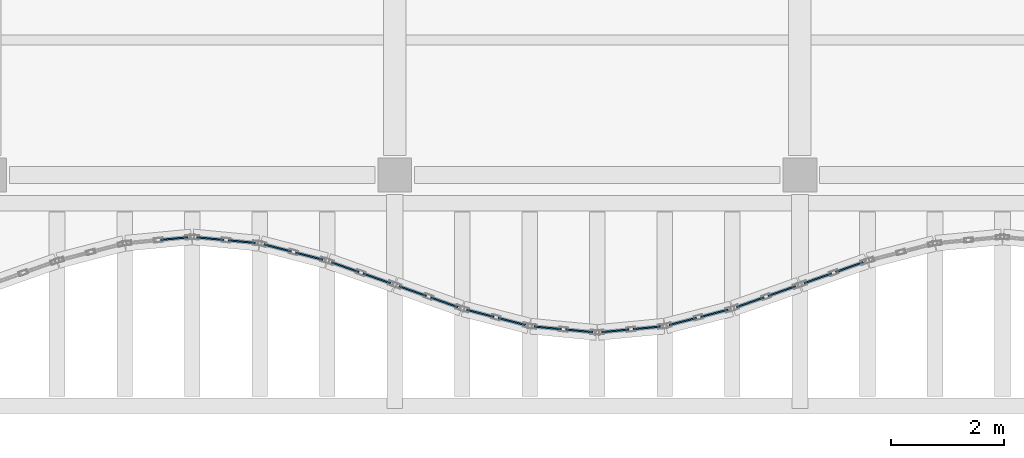
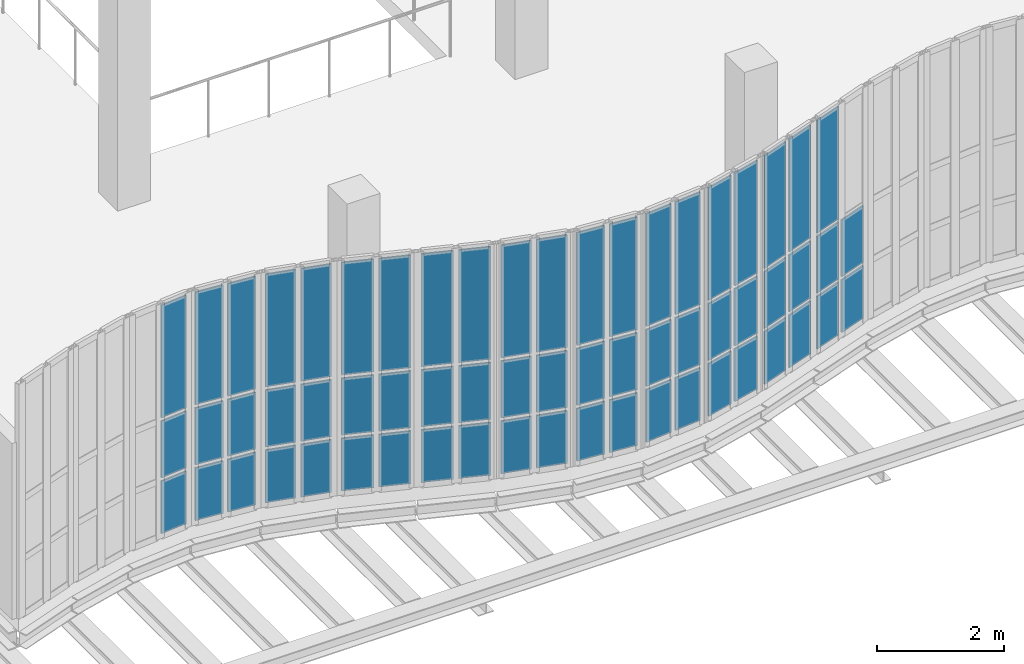
# One storey, part 68 of 105: 62 plates, 11 elements without a shape of their own.
"""IFC4 building model written with IfcOpenShell, lengths in metres."""

from ifc_helpers import new_model, si_unit, direction, frame, origin, origin_2d, place, context, subcontext, project, spatial, rectangle, extrude, material, layer, layer_set, type_object, element, aggregate, save


model = new_model("IFC4")

# Units and contexts
model_context = context("Model", 3, precision=1e-05, world=origin(), true_north=direction((0.0, 1.0)))
body_context = subcontext(model_context, "Body", "Model", "MODEL_VIEW")
ifc_project = project(units=[si_unit("LENGTHUNIT", "METRE"), si_unit("AREAUNIT", "SQUARE_METRE"), si_unit("VOLUMEUNIT", "CUBIC_METRE"), si_unit("PLANEANGLEUNIT", "RADIAN"), si_unit("MASSUNIT", "GRAM", prefix="KILO"), si_unit("THERMODYNAMICTEMPERATUREUNIT", "KELVIN"), si_unit("POWERUNIT", "WATT")], contexts=[model_context])

# Site, building, storey
site_placement = place(None, origin())
site = spatial("IfcSite", under=ifc_project, at=site_placement, CompositionType="ELEMENT")
building_placement = place(site_placement, origin())
building = spatial("IfcBuilding", under=site, at=building_placement, Name="Kaldorven Railside Theatre", CompositionType="ELEMENT")
storey_placement = place(building_placement, frame((0.0, 0.0, 9.89990234375)))
storey = spatial("IfcBuildingStorey", under=building, at=storey_placement, Name="L02", CompositionType="ELEMENT", Elevation=9.89990234375)

# Curtain wall, plates
ifc_material = material(Name="Low-E laminated solar-control glass", Category="glass")
ifc_layer_1 = layer(ifc_material, 0.159912109375, Name="Low-E laminated solar-control glass")
ifc_layer_set_1 = layer_set([ifc_layer_1], Name="Low-E laminated solar-control glass")
curtain_wall_type_1 = type_object("IfcCurtainWallType", Name="CWT-03", PredefinedType="USERDEFINED", material=ifc_layer_set_1)
curtain_wall_1_placement = place(storey_placement, origin())
curtain_wall_1 = element("IfcCurtainWall", 1, at=curtain_wall_1_placement, inside=storey, type_object=curtain_wall_type_1, Name="Sinusoidal Fluted Curtain Wall CW-L02-S03", ObjectType="FLUTED GLAZING", PredefinedType="USERDEFINED")
ifc_layer_2 = layer(ifc_material, 0.028076171875, Name="Low-E laminated solar-control glass")
ifc_layer_set_2 = layer_set([ifc_layer_2], Name="Low-E laminated solar-control glass")
plate_type = type_object("IfcPlateType", Name="CWP-GLZ28", PredefinedType="CURTAIN_PANEL", material=ifc_layer_set_2)
plate_1_placement = place(storey_placement, frame((40.080078125, 18.069580078125, 0.06005859375), z_axis=(0.0, 0.0, 1.0), x_axis=(0.995525623425, 0.094491973758, 0.0)))
plate_1 = element("IfcPlate", 2, at=plate_1_placement, type_object=plate_type, Name="CW-L02-S03 panel 2.1", PredefinedType="CURTAIN_PANEL", context=body_context, shape_type="SweptSolid", body=[
    extrude(rectangle(XDim=0.482666015625, YDim=0.028076171875, at=origin_2d()), origin(), (0.0, 0.0, 1.0), 1.010009765625),
])
plate_2_placement = place(storey_placement, frame((40.080078125, 18.069580078125, 1.1298828125), z_axis=(0.0, 0.0, 1.0), x_axis=(0.995525623425, 0.094491973758, 0.0)))
plate_2 = element("IfcPlate", 3, at=plate_2_placement, type_object=plate_type, Name="CW-L02-S03 panel 2.2", PredefinedType="CURTAIN_PANEL", context=body_context, shape_type="SweptSolid", body=[
    extrude(rectangle(XDim=0.482666015625, YDim=0.028076171875, at=origin_2d()), origin(), (0.0, 0.0, 1.0), 1.090087890625),
])
plate_3_placement = place(storey_placement, frame((40.080078125, 18.069580078125, 2.2802734375), z_axis=(0.0, 0.0, 1.0), x_axis=(0.995525623425, 0.094491973758, 0.0)))
plate_3 = element("IfcPlate", 4, at=plate_3_placement, type_object=plate_type, Name="CW-L02-S03 panel 2.3", PredefinedType="CURTAIN_PANEL", context=body_context, shape_type="SweptSolid", body=[
    extrude(rectangle(XDim=0.482666015625, YDim=0.028076171875, at=origin_2d()), origin(), (0.0, 0.0, 1.0), 2.159912109375),
])
aggregate(curtain_wall_1, [plate_1, plate_2, plate_3])

curtain_wall_2_placement = place(storey_placement, origin())
curtain_wall_2 = element("IfcCurtainWall", 5, at=curtain_wall_2_placement, inside=storey, type_object=curtain_wall_type_1, Name="Sinusoidal Fluted Curtain Wall CW-L02-S04", ObjectType="FLUTED GLAZING", PredefinedType="USERDEFINED")
plate_4_placement = place(storey_placement, frame((40.719970703125, 18.069580078125, 0.06005859375), z_axis=(0.0, 0.0, 1.0), x_axis=(0.995525623425, -0.094491973758, 0.0)))
plate_4 = element("IfcPlate", 6, at=plate_4_placement, type_object=plate_type, Name="CW-L02-S04 panel 1.1", PredefinedType="CURTAIN_PANEL", context=body_context, shape_type="SweptSolid", body=[
    extrude(rectangle(XDim=0.482666015625, YDim=0.028076171875, at=origin_2d()), origin(), (0.0, 0.0, 1.0), 1.010009765625),
])
plate_5_placement = place(storey_placement, frame((40.719970703125, 18.069580078125, 1.1298828125), z_axis=(0.0, 0.0, 1.0), x_axis=(0.995525623425, -0.094491973758, 0.0)))
plate_5 = element("IfcPlate", 7, at=plate_5_placement, type_object=plate_type, Name="CW-L02-S04 panel 1.2", PredefinedType="CURTAIN_PANEL", context=body_context, shape_type="SweptSolid", body=[
    extrude(rectangle(XDim=0.482666015625, YDim=0.028076171875, at=origin_2d()), origin(), (0.0, 0.0, 1.0), 1.090087890625),
])
plate_6_placement = place(storey_placement, frame((40.719970703125, 18.069580078125, 2.2802734375), z_axis=(0.0, 0.0, 1.0), x_axis=(0.995525623425, -0.094491973758, 0.0)))
plate_6 = element("IfcPlate", 8, at=plate_6_placement, type_object=plate_type, Name="CW-L02-S04 panel 1.3", PredefinedType="CURTAIN_PANEL", context=body_context, shape_type="SweptSolid", body=[
    extrude(rectangle(XDim=0.482666015625, YDim=0.028076171875, at=origin_2d()), origin(), (0.0, 0.0, 1.0), 2.159912109375),
])
plate_7_placement = place(storey_placement, frame((41.280029296875, 18.016357421875, 0.06005859375), z_axis=(0.0, 0.0, 1.0), x_axis=(0.995525623425, -0.094491973758, 0.0)))
plate_7 = element("IfcPlate", 9, at=plate_7_placement, type_object=plate_type, Name="CW-L02-S04 panel 2.1", PredefinedType="CURTAIN_PANEL", context=body_context, shape_type="SweptSolid", body=[
    extrude(rectangle(XDim=0.482666015625, YDim=0.028076171875, at=origin_2d()), origin(), (0.0, 0.0, 1.0), 1.010009765625),
])
plate_8_placement = place(storey_placement, frame((41.280029296875, 18.016357421875, 1.1298828125), z_axis=(0.0, 0.0, 1.0), x_axis=(0.995525623425, -0.094491973758, 0.0)))
plate_8 = element("IfcPlate", 10, at=plate_8_placement, type_object=plate_type, Name="CW-L02-S04 panel 2.2", PredefinedType="CURTAIN_PANEL", context=body_context, shape_type="SweptSolid", body=[
    extrude(rectangle(XDim=0.482666015625, YDim=0.028076171875, at=origin_2d()), origin(), (0.0, 0.0, 1.0), 1.090087890625),
])
plate_9_placement = place(storey_placement, frame((41.280029296875, 18.016357421875, 2.2802734375), z_axis=(0.0, 0.0, 1.0), x_axis=(0.995525623425, -0.094491973758, 0.0)))
plate_9 = element("IfcPlate", 11, at=plate_9_placement, type_object=plate_type, Name="CW-L02-S04 panel 2.3", PredefinedType="CURTAIN_PANEL", context=body_context, shape_type="SweptSolid", body=[
    extrude(rectangle(XDim=0.482666015625, YDim=0.028076171875, at=origin_2d()), origin(), (0.0, 0.0, 1.0), 2.159912109375),
])
aggregate(curtain_wall_2, [plate_4, plate_5, plate_6, plate_7, plate_8, plate_9])

ifc_layer_3 = layer(ifc_material, 0.159912109375, Name="Low-E laminated solar-control glass")
ifc_layer_set_3 = layer_set([ifc_layer_3], Name="Low-E laminated solar-control glass")
curtain_wall_type_2 = type_object("IfcCurtainWallType", Name="CWT-02", PredefinedType="USERDEFINED", material=ifc_layer_set_3)
curtain_wall_3_placement = place(storey_placement, origin())
curtain_wall_3 = element("IfcCurtainWall", 12, at=curtain_wall_3_placement, inside=storey, type_object=curtain_wall_type_2, Name="Sinusoidal Fluted Curtain Wall CW-L02-S05", ObjectType="FLUTED GLAZING", PredefinedType="USERDEFINED")
plate_10_placement = place(storey_placement, frame((41.91943359375, 17.9033203125, 0.06005859375), z_axis=(0.0, 0.0, 1.0), x_axis=(0.967999075505, -0.250953760326, 0.0)))
plate_10 = element("IfcPlate", 13, at=plate_10_placement, type_object=plate_type, Name="CW-L02-S05 panel 1.1", PredefinedType="CURTAIN_PANEL", context=body_context, shape_type="SweptSolid", body=[
    extrude(rectangle(XDim=0.499755859375, YDim=0.028076171875, at=origin_2d()), origin(), (0.0, 0.0, 1.0), 1.010009765625),
])
plate_11_placement = place(storey_placement, frame((41.91943359375, 17.9033203125, 1.1298828125), z_axis=(0.0, 0.0, 1.0), x_axis=(0.967999075505, -0.250953760326, 0.0)))
plate_11 = element("IfcPlate", 14, at=plate_11_placement, type_object=plate_type, Name="CW-L02-S05 panel 1.2", PredefinedType="CURTAIN_PANEL", context=body_context, shape_type="SweptSolid", body=[
    extrude(rectangle(XDim=0.499755859375, YDim=0.028076171875, at=origin_2d()), origin(), (0.0, 0.0, 1.0), 1.090087890625),
])
plate_12_placement = place(storey_placement, frame((41.91943359375, 17.9033203125, 2.2802734375), z_axis=(0.0, 0.0, 1.0), x_axis=(0.967999075505, -0.250953760326, 0.0)))
plate_12 = element("IfcPlate", 15, at=plate_12_placement, type_object=plate_type, Name="CW-L02-S05 panel 1.3", PredefinedType="CURTAIN_PANEL", context=body_context, shape_type="SweptSolid", body=[
    extrude(rectangle(XDim=0.499755859375, YDim=0.028076171875, at=origin_2d()), origin(), (0.0, 0.0, 1.0), 2.159912109375),
])
plate_13_placement = place(storey_placement, frame((42.480712890625, 17.7578125, 0.06005859375), z_axis=(0.0, 0.0, 1.0), x_axis=(0.967999075505, -0.250953760326, 0.0)))
plate_13 = element("IfcPlate", 16, at=plate_13_placement, type_object=plate_type, Name="CW-L02-S05 panel 2.1", PredefinedType="CURTAIN_PANEL", context=body_context, shape_type="SweptSolid", body=[
    extrude(rectangle(XDim=0.499755859375, YDim=0.028076171875, at=origin_2d()), origin(), (0.0, 0.0, 1.0), 1.010009765625),
])
plate_14_placement = place(storey_placement, frame((42.480712890625, 17.7578125, 1.1298828125), z_axis=(0.0, 0.0, 1.0), x_axis=(0.967999075505, -0.250953760326, 0.0)))
plate_14 = element("IfcPlate", 17, at=plate_14_placement, type_object=plate_type, Name="CW-L02-S05 panel 2.2", PredefinedType="CURTAIN_PANEL", context=body_context, shape_type="SweptSolid", body=[
    extrude(rectangle(XDim=0.499755859375, YDim=0.028076171875, at=origin_2d()), origin(), (0.0, 0.0, 1.0), 1.090087890625),
])
plate_15_placement = place(storey_placement, frame((42.480712890625, 17.7578125, 2.2802734375), z_axis=(0.0, 0.0, 1.0), x_axis=(0.967999075505, -0.250953760326, 0.0)))
plate_15 = element("IfcPlate", 18, at=plate_15_placement, type_object=plate_type, Name="CW-L02-S05 panel 2.3", PredefinedType="CURTAIN_PANEL", context=body_context, shape_type="SweptSolid", body=[
    extrude(rectangle(XDim=0.499755859375, YDim=0.028076171875, at=origin_2d()), origin(), (0.0, 0.0, 1.0), 2.159912109375),
])
aggregate(curtain_wall_3, [plate_10, plate_11, plate_12, plate_13, plate_14, plate_15])

ifc_layer_4 = layer(ifc_material, 0.159912109375, Name="Low-E laminated solar-control glass")
ifc_layer_set_4 = layer_set([ifc_layer_4], Name="Low-E laminated solar-control glass")
curtain_wall_type_3 = type_object("IfcCurtainWallType", Name="CWT-01", PredefinedType="USERDEFINED", material=ifc_layer_set_4)
curtain_wall_4_placement = place(storey_placement, origin())
curtain_wall_4 = element("IfcCurtainWall", 19, at=curtain_wall_4_placement, inside=storey, type_object=curtain_wall_type_3, Name="Sinusoidal Fluted Curtain Wall CW-L02-S06", ObjectType="FLUTED GLAZING", PredefinedType="USERDEFINED")
plate_16_placement = place(storey_placement, frame((43.118896484375, 17.56201171875, 0.06005859375), z_axis=(0.0, 0.0, 1.0), x_axis=(0.942627225159, -0.33384714225, 0.0)))
plate_16 = element("IfcPlate", 20, at=plate_16_placement, type_object=plate_type, Name="CW-L02-S06 panel 1.1", PredefinedType="CURTAIN_PANEL", context=body_context, shape_type="SweptSolid", body=[
    extrude(rectangle(XDim=0.5166015625, YDim=0.028076171875, at=origin_2d()), origin(), (0.0, 0.0, 1.0), 1.010009765625),
])
plate_17_placement = place(storey_placement, frame((43.118896484375, 17.56201171875, 1.1298828125), z_axis=(0.0, 0.0, 1.0), x_axis=(0.942627225159, -0.33384714225, 0.0)))
plate_17 = element("IfcPlate", 21, at=plate_17_placement, type_object=plate_type, Name="CW-L02-S06 panel 1.2", PredefinedType="CURTAIN_PANEL", context=body_context, shape_type="SweptSolid", body=[
    extrude(rectangle(XDim=0.5166015625, YDim=0.028076171875, at=origin_2d()), origin(), (0.0, 0.0, 1.0), 1.090087890625),
])
plate_18_placement = place(storey_placement, frame((43.118896484375, 17.56201171875, 2.2802734375), z_axis=(0.0, 0.0, 1.0), x_axis=(0.942627225159, -0.33384714225, 0.0)))
plate_18 = element("IfcPlate", 22, at=plate_18_placement, type_object=plate_type, Name="CW-L02-S06 panel 1.3", PredefinedType="CURTAIN_PANEL", context=body_context, shape_type="SweptSolid", body=[
    extrude(rectangle(XDim=0.5166015625, YDim=0.028076171875, at=origin_2d()), origin(), (0.0, 0.0, 1.0), 2.159912109375),
])
plate_19_placement = place(storey_placement, frame((43.68115234375, 17.363037109375, 0.06005859375), z_axis=(0.0, 0.0, 1.0), x_axis=(0.942627225159, -0.33384714225, 0.0)))
plate_19 = element("IfcPlate", 23, at=plate_19_placement, type_object=plate_type, Name="CW-L02-S06 panel 2.1", PredefinedType="CURTAIN_PANEL", context=body_context, shape_type="SweptSolid", body=[
    extrude(rectangle(XDim=0.5166015625, YDim=0.028076171875, at=origin_2d()), origin(), (0.0, 0.0, 1.0), 1.010009765625),
])
plate_20_placement = place(storey_placement, frame((43.68115234375, 17.363037109375, 1.1298828125), z_axis=(0.0, 0.0, 1.0), x_axis=(0.942627225159, -0.33384714225, 0.0)))
plate_20 = element("IfcPlate", 24, at=plate_20_placement, type_object=plate_type, Name="CW-L02-S06 panel 2.2", PredefinedType="CURTAIN_PANEL", context=body_context, shape_type="SweptSolid", body=[
    extrude(rectangle(XDim=0.5166015625, YDim=0.028076171875, at=origin_2d()), origin(), (0.0, 0.0, 1.0), 1.090087890625),
])
plate_21_placement = place(storey_placement, frame((43.68115234375, 17.363037109375, 2.2802734375), z_axis=(0.0, 0.0, 1.0), x_axis=(0.942627225159, -0.33384714225, 0.0)))
plate_21 = element("IfcPlate", 25, at=plate_21_placement, type_object=plate_type, Name="CW-L02-S06 panel 2.3", PredefinedType="CURTAIN_PANEL", context=body_context, shape_type="SweptSolid", body=[
    extrude(rectangle(XDim=0.5166015625, YDim=0.028076171875, at=origin_2d()), origin(), (0.0, 0.0, 1.0), 2.159912109375),
])
aggregate(curtain_wall_4, [plate_16, plate_17, plate_18, plate_19, plate_20, plate_21])

curtain_wall_5_placement = place(storey_placement, origin())
curtain_wall_5 = element("IfcCurtainWall", 26, at=curtain_wall_5_placement, inside=storey, type_object=curtain_wall_type_3, Name="Sinusoidal Fluted Curtain Wall CW-L02-S07", ObjectType="FLUTED GLAZING", PredefinedType="USERDEFINED")
plate_22_placement = place(storey_placement, frame((44.31884765625, 17.136962890625, 0.06005859375), z_axis=(0.0, 0.0, 1.0), x_axis=(0.942627225159, -0.33384714225, 0.0)))
plate_22 = element("IfcPlate", 27, at=plate_22_placement, type_object=plate_type, Name="CW-L02-S07 panel 1.1", PredefinedType="CURTAIN_PANEL", context=body_context, shape_type="SweptSolid", body=[
    extrude(rectangle(XDim=0.5166015625, YDim=0.028076171875, at=origin_2d()), origin(), (0.0, 0.0, 1.0), 1.010009765625),
])
plate_23_placement = place(storey_placement, frame((44.31884765625, 17.136962890625, 1.1298828125), z_axis=(0.0, 0.0, 1.0), x_axis=(0.942627225159, -0.33384714225, 0.0)))
plate_23 = element("IfcPlate", 28, at=plate_23_placement, type_object=plate_type, Name="CW-L02-S07 panel 1.2", PredefinedType="CURTAIN_PANEL", context=body_context, shape_type="SweptSolid", body=[
    extrude(rectangle(XDim=0.5166015625, YDim=0.028076171875, at=origin_2d()), origin(), (0.0, 0.0, 1.0), 1.090087890625),
])
plate_24_placement = place(storey_placement, frame((44.31884765625, 17.136962890625, 2.2802734375), z_axis=(0.0, 0.0, 1.0), x_axis=(0.942627225159, -0.33384714225, 0.0)))
plate_24 = element("IfcPlate", 29, at=plate_24_placement, type_object=plate_type, Name="CW-L02-S07 panel 1.3", PredefinedType="CURTAIN_PANEL", context=body_context, shape_type="SweptSolid", body=[
    extrude(rectangle(XDim=0.5166015625, YDim=0.028076171875, at=origin_2d()), origin(), (0.0, 0.0, 1.0), 2.159912109375),
])
plate_25_placement = place(storey_placement, frame((44.881103515625, 16.93798828125, 0.06005859375), z_axis=(0.0, 0.0, 1.0), x_axis=(0.942627225159, -0.33384714225, 0.0)))
plate_25 = element("IfcPlate", 30, at=plate_25_placement, type_object=plate_type, Name="CW-L02-S07 panel 2.1", PredefinedType="CURTAIN_PANEL", context=body_context, shape_type="SweptSolid", body=[
    extrude(rectangle(XDim=0.5166015625, YDim=0.028076171875, at=origin_2d()), origin(), (0.0, 0.0, 1.0), 1.010009765625),
])
plate_26_placement = place(storey_placement, frame((44.881103515625, 16.93798828125, 1.1298828125), z_axis=(0.0, 0.0, 1.0), x_axis=(0.942627225159, -0.33384714225, 0.0)))
plate_26 = element("IfcPlate", 31, at=plate_26_placement, type_object=plate_type, Name="CW-L02-S07 panel 2.2", PredefinedType="CURTAIN_PANEL", context=body_context, shape_type="SweptSolid", body=[
    extrude(rectangle(XDim=0.5166015625, YDim=0.028076171875, at=origin_2d()), origin(), (0.0, 0.0, 1.0), 1.090087890625),
])
plate_27_placement = place(storey_placement, frame((44.881103515625, 16.93798828125, 2.2802734375), z_axis=(0.0, 0.0, 1.0), x_axis=(0.942627225159, -0.33384714225, 0.0)))
plate_27 = element("IfcPlate", 32, at=plate_27_placement, type_object=plate_type, Name="CW-L02-S07 panel 2.3", PredefinedType="CURTAIN_PANEL", context=body_context, shape_type="SweptSolid", body=[
    extrude(rectangle(XDim=0.5166015625, YDim=0.028076171875, at=origin_2d()), origin(), (0.0, 0.0, 1.0), 2.159912109375),
])
aggregate(curtain_wall_5, [plate_22, plate_23, plate_24, plate_25, plate_26, plate_27])

curtain_wall_6_placement = place(storey_placement, origin())
curtain_wall_6 = element("IfcCurtainWall", 33, at=curtain_wall_6_placement, inside=storey, type_object=curtain_wall_type_2, Name="Sinusoidal Fluted Curtain Wall CW-L02-S08", ObjectType="FLUTED GLAZING", PredefinedType="USERDEFINED")
plate_28_placement = place(storey_placement, frame((45.519287109375, 16.7421875, 0.06005859375), z_axis=(0.0, 0.0, 1.0), x_axis=(0.967999075505, -0.250953760326, 0.0)))
plate_28 = element("IfcPlate", 34, at=plate_28_placement, type_object=plate_type, Name="CW-L02-S08 panel 1.1", PredefinedType="CURTAIN_PANEL", context=body_context, shape_type="SweptSolid", body=[
    extrude(rectangle(XDim=0.499755859375, YDim=0.028076171875, at=origin_2d()), origin(), (0.0, 0.0, 1.0), 1.010009765625),
])
plate_29_placement = place(storey_placement, frame((45.519287109375, 16.7421875, 1.1298828125), z_axis=(0.0, 0.0, 1.0), x_axis=(0.967999075505, -0.250953760326, 0.0)))
plate_29 = element("IfcPlate", 35, at=plate_29_placement, type_object=plate_type, Name="CW-L02-S08 panel 1.2", PredefinedType="CURTAIN_PANEL", context=body_context, shape_type="SweptSolid", body=[
    extrude(rectangle(XDim=0.499755859375, YDim=0.028076171875, at=origin_2d()), origin(), (0.0, 0.0, 1.0), 1.090087890625),
])
plate_30_placement = place(storey_placement, frame((45.519287109375, 16.7421875, 2.2802734375), z_axis=(0.0, 0.0, 1.0), x_axis=(0.967999075505, -0.250953760326, 0.0)))
plate_30 = element("IfcPlate", 36, at=plate_30_placement, type_object=plate_type, Name="CW-L02-S08 panel 1.3", PredefinedType="CURTAIN_PANEL", context=body_context, shape_type="SweptSolid", body=[
    extrude(rectangle(XDim=0.499755859375, YDim=0.028076171875, at=origin_2d()), origin(), (0.0, 0.0, 1.0), 2.159912109375),
])
plate_31_placement = place(storey_placement, frame((46.08056640625, 16.5966796875, 0.06005859375), z_axis=(0.0, 0.0, 1.0), x_axis=(0.967999075505, -0.250953760326, 0.0)))
plate_31 = element("IfcPlate", 37, at=plate_31_placement, type_object=plate_type, Name="CW-L02-S08 panel 2.1", PredefinedType="CURTAIN_PANEL", context=body_context, shape_type="SweptSolid", body=[
    extrude(rectangle(XDim=0.499755859375, YDim=0.028076171875, at=origin_2d()), origin(), (0.0, 0.0, 1.0), 1.010009765625),
])
plate_32_placement = place(storey_placement, frame((46.08056640625, 16.5966796875, 1.1298828125), z_axis=(0.0, 0.0, 1.0), x_axis=(0.967999075505, -0.250953760326, 0.0)))
plate_32 = element("IfcPlate", 38, at=plate_32_placement, type_object=plate_type, Name="CW-L02-S08 panel 2.2", PredefinedType="CURTAIN_PANEL", context=body_context, shape_type="SweptSolid", body=[
    extrude(rectangle(XDim=0.499755859375, YDim=0.028076171875, at=origin_2d()), origin(), (0.0, 0.0, 1.0), 1.090087890625),
])
plate_33_placement = place(storey_placement, frame((46.08056640625, 16.5966796875, 2.2802734375), z_axis=(0.0, 0.0, 1.0), x_axis=(0.967999075505, -0.250953760326, 0.0)))
plate_33 = element("IfcPlate", 39, at=plate_33_placement, type_object=plate_type, Name="CW-L02-S08 panel 2.3", PredefinedType="CURTAIN_PANEL", context=body_context, shape_type="SweptSolid", body=[
    extrude(rectangle(XDim=0.499755859375, YDim=0.028076171875, at=origin_2d()), origin(), (0.0, 0.0, 1.0), 2.159912109375),
])
aggregate(curtain_wall_6, [plate_28, plate_29, plate_30, plate_31, plate_32, plate_33])

curtain_wall_7_placement = place(storey_placement, origin())
curtain_wall_7 = element("IfcCurtainWall", 40, at=curtain_wall_7_placement, inside=storey, type_object=curtain_wall_type_1, Name="Sinusoidal Fluted Curtain Wall CW-L02-S09", ObjectType="FLUTED GLAZING", PredefinedType="USERDEFINED")
plate_34_placement = place(storey_placement, frame((46.719970703125, 16.483642578125, 0.06005859375), z_axis=(0.0, 0.0, 1.0), x_axis=(0.995525623425, -0.094491973758, 0.0)))
plate_34 = element("IfcPlate", 41, at=plate_34_placement, type_object=plate_type, Name="CW-L02-S09 panel 1.1", PredefinedType="CURTAIN_PANEL", context=body_context, shape_type="SweptSolid", body=[
    extrude(rectangle(XDim=0.482666015625, YDim=0.028076171875, at=origin_2d()), origin(), (0.0, 0.0, 1.0), 1.010009765625),
])
plate_35_placement = place(storey_placement, frame((46.719970703125, 16.483642578125, 1.1298828125), z_axis=(0.0, 0.0, 1.0), x_axis=(0.995525623425, -0.094491973758, 0.0)))
plate_35 = element("IfcPlate", 42, at=plate_35_placement, type_object=plate_type, Name="CW-L02-S09 panel 1.2", PredefinedType="CURTAIN_PANEL", context=body_context, shape_type="SweptSolid", body=[
    extrude(rectangle(XDim=0.482666015625, YDim=0.028076171875, at=origin_2d()), origin(), (0.0, 0.0, 1.0), 1.090087890625),
])
plate_36_placement = place(storey_placement, frame((46.719970703125, 16.483642578125, 2.2802734375), z_axis=(0.0, 0.0, 1.0), x_axis=(0.995525623425, -0.094491973758, 0.0)))
plate_36 = element("IfcPlate", 43, at=plate_36_placement, type_object=plate_type, Name="CW-L02-S09 panel 1.3", PredefinedType="CURTAIN_PANEL", context=body_context, shape_type="SweptSolid", body=[
    extrude(rectangle(XDim=0.482666015625, YDim=0.028076171875, at=origin_2d()), origin(), (0.0, 0.0, 1.0), 2.159912109375),
])
plate_37_placement = place(storey_placement, frame((47.280029296875, 16.430419921875, 0.06005859375), z_axis=(0.0, 0.0, 1.0), x_axis=(0.995525623425, -0.094491973758, 0.0)))
plate_37 = element("IfcPlate", 44, at=plate_37_placement, type_object=plate_type, Name="CW-L02-S09 panel 2.1", PredefinedType="CURTAIN_PANEL", context=body_context, shape_type="SweptSolid", body=[
    extrude(rectangle(XDim=0.482666015625, YDim=0.028076171875, at=origin_2d()), origin(), (0.0, 0.0, 1.0), 1.010009765625),
])
plate_38_placement = place(storey_placement, frame((47.280029296875, 16.430419921875, 1.1298828125), z_axis=(0.0, 0.0, 1.0), x_axis=(0.995525623425, -0.094491973758, 0.0)))
plate_38 = element("IfcPlate", 45, at=plate_38_placement, type_object=plate_type, Name="CW-L02-S09 panel 2.2", PredefinedType="CURTAIN_PANEL", context=body_context, shape_type="SweptSolid", body=[
    extrude(rectangle(XDim=0.482666015625, YDim=0.028076171875, at=origin_2d()), origin(), (0.0, 0.0, 1.0), 1.090087890625),
])
plate_39_placement = place(storey_placement, frame((47.280029296875, 16.430419921875, 2.2802734375), z_axis=(0.0, 0.0, 1.0), x_axis=(0.995525623425, -0.094491973758, 0.0)))
plate_39 = element("IfcPlate", 46, at=plate_39_placement, type_object=plate_type, Name="CW-L02-S09 panel 2.3", PredefinedType="CURTAIN_PANEL", context=body_context, shape_type="SweptSolid", body=[
    extrude(rectangle(XDim=0.482666015625, YDim=0.028076171875, at=origin_2d()), origin(), (0.0, 0.0, 1.0), 2.159912109375),
])
aggregate(curtain_wall_7, [plate_34, plate_35, plate_36, plate_37, plate_38, plate_39])

curtain_wall_8_placement = place(storey_placement, origin())
curtain_wall_8 = element("IfcCurtainWall", 47, at=curtain_wall_8_placement, inside=storey, type_object=curtain_wall_type_1, Name="Sinusoidal Fluted Curtain Wall CW-L02-S10", ObjectType="FLUTED GLAZING", PredefinedType="USERDEFINED")
plate_40_placement = place(storey_placement, frame((47.919921875, 16.430419921875, 0.06005859375), z_axis=(0.0, 0.0, 1.0), x_axis=(0.995525623425, 0.094491973758, 0.0)))
plate_40 = element("IfcPlate", 48, at=plate_40_placement, type_object=plate_type, Name="CW-L02-S10 panel 1.1", PredefinedType="CURTAIN_PANEL", context=body_context, shape_type="SweptSolid", body=[
    extrude(rectangle(XDim=0.482666015625, YDim=0.028076171875, at=origin_2d()), origin(), (0.0, 0.0, 1.0), 1.010009765625),
])
plate_41_placement = place(storey_placement, frame((47.919921875, 16.430419921875, 1.1298828125), z_axis=(0.0, 0.0, 1.0), x_axis=(0.995525623425, 0.094491973758, 0.0)))
plate_41 = element("IfcPlate", 49, at=plate_41_placement, type_object=plate_type, Name="CW-L02-S10 panel 1.2", PredefinedType="CURTAIN_PANEL", context=body_context, shape_type="SweptSolid", body=[
    extrude(rectangle(XDim=0.482666015625, YDim=0.028076171875, at=origin_2d()), origin(), (0.0, 0.0, 1.0), 1.090087890625),
])
plate_42_placement = place(storey_placement, frame((47.919921875, 16.430419921875, 2.2802734375), z_axis=(0.0, 0.0, 1.0), x_axis=(0.995525623425, 0.094491973758, 0.0)))
plate_42 = element("IfcPlate", 50, at=plate_42_placement, type_object=plate_type, Name="CW-L02-S10 panel 1.3", PredefinedType="CURTAIN_PANEL", context=body_context, shape_type="SweptSolid", body=[
    extrude(rectangle(XDim=0.482666015625, YDim=0.028076171875, at=origin_2d()), origin(), (0.0, 0.0, 1.0), 2.159912109375),
])
plate_43_placement = place(storey_placement, frame((48.47998046875, 16.483642578125, 0.06005859375), z_axis=(0.0, 0.0, 1.0), x_axis=(0.995525623425, 0.094491973758, 0.0)))
plate_43 = element("IfcPlate", 51, at=plate_43_placement, type_object=plate_type, Name="CW-L02-S10 panel 2.1", PredefinedType="CURTAIN_PANEL", context=body_context, shape_type="SweptSolid", body=[
    extrude(rectangle(XDim=0.482666015625, YDim=0.028076171875, at=origin_2d()), origin(), (0.0, 0.0, 1.0), 1.010009765625),
])
plate_44_placement = place(storey_placement, frame((48.47998046875, 16.483642578125, 1.1298828125), z_axis=(0.0, 0.0, 1.0), x_axis=(0.995525623425, 0.094491973758, 0.0)))
plate_44 = element("IfcPlate", 52, at=plate_44_placement, type_object=plate_type, Name="CW-L02-S10 panel 2.2", PredefinedType="CURTAIN_PANEL", context=body_context, shape_type="SweptSolid", body=[
    extrude(rectangle(XDim=0.482666015625, YDim=0.028076171875, at=origin_2d()), origin(), (0.0, 0.0, 1.0), 1.090087890625),
])
plate_45_placement = place(storey_placement, frame((48.47998046875, 16.483642578125, 2.2802734375), z_axis=(0.0, 0.0, 1.0), x_axis=(0.995525623425, 0.094491973758, 0.0)))
plate_45 = element("IfcPlate", 53, at=plate_45_placement, type_object=plate_type, Name="CW-L02-S10 panel 2.3", PredefinedType="CURTAIN_PANEL", context=body_context, shape_type="SweptSolid", body=[
    extrude(rectangle(XDim=0.482666015625, YDim=0.028076171875, at=origin_2d()), origin(), (0.0, 0.0, 1.0), 2.159912109375),
])
aggregate(curtain_wall_8, [plate_40, plate_41, plate_42, plate_43, plate_44, plate_45])

curtain_wall_9_placement = place(storey_placement, origin())
curtain_wall_9 = element("IfcCurtainWall", 54, at=curtain_wall_9_placement, inside=storey, type_object=curtain_wall_type_2, Name="Sinusoidal Fluted Curtain Wall CW-L02-S11", ObjectType="FLUTED GLAZING", PredefinedType="USERDEFINED")
plate_46_placement = place(storey_placement, frame((49.119384765625, 16.5966796875, 0.06005859375), z_axis=(0.0, 0.0, 1.0), x_axis=(0.967999075505, 0.250953760326, 0.0)))
plate_46 = element("IfcPlate", 55, at=plate_46_placement, type_object=plate_type, Name="CW-L02-S11 panel 1.1", PredefinedType="CURTAIN_PANEL", context=body_context, shape_type="SweptSolid", body=[
    extrude(rectangle(XDim=0.499755859375, YDim=0.028076171875, at=origin_2d()), origin(), (0.0, 0.0, 1.0), 1.010009765625),
])
plate_47_placement = place(storey_placement, frame((49.119384765625, 16.5966796875, 1.1298828125), z_axis=(0.0, 0.0, 1.0), x_axis=(0.967999075505, 0.250953760326, 0.0)))
plate_47 = element("IfcPlate", 56, at=plate_47_placement, type_object=plate_type, Name="CW-L02-S11 panel 1.2", PredefinedType="CURTAIN_PANEL", context=body_context, shape_type="SweptSolid", body=[
    extrude(rectangle(XDim=0.499755859375, YDim=0.028076171875, at=origin_2d()), origin(), (0.0, 0.0, 1.0), 1.090087890625),
])
plate_48_placement = place(storey_placement, frame((49.119384765625, 16.5966796875, 2.2802734375), z_axis=(0.0, 0.0, 1.0), x_axis=(0.967999075505, 0.250953760326, 0.0)))
plate_48 = element("IfcPlate", 57, at=plate_48_placement, type_object=plate_type, Name="CW-L02-S11 panel 1.3", PredefinedType="CURTAIN_PANEL", context=body_context, shape_type="SweptSolid", body=[
    extrude(rectangle(XDim=0.499755859375, YDim=0.028076171875, at=origin_2d()), origin(), (0.0, 0.0, 1.0), 2.159912109375),
])
plate_49_placement = place(storey_placement, frame((49.6806640625, 16.7421875, 0.06005859375), z_axis=(0.0, 0.0, 1.0), x_axis=(0.967999075505, 0.250953760326, 0.0)))
plate_49 = element("IfcPlate", 58, at=plate_49_placement, type_object=plate_type, Name="CW-L02-S11 panel 2.1", PredefinedType="CURTAIN_PANEL", context=body_context, shape_type="SweptSolid", body=[
    extrude(rectangle(XDim=0.499755859375, YDim=0.028076171875, at=origin_2d()), origin(), (0.0, 0.0, 1.0), 1.010009765625),
])
plate_50_placement = place(storey_placement, frame((49.6806640625, 16.7421875, 1.1298828125), z_axis=(0.0, 0.0, 1.0), x_axis=(0.967999075505, 0.250953760326, 0.0)))
plate_50 = element("IfcPlate", 59, at=plate_50_placement, type_object=plate_type, Name="CW-L02-S11 panel 2.2", PredefinedType="CURTAIN_PANEL", context=body_context, shape_type="SweptSolid", body=[
    extrude(rectangle(XDim=0.499755859375, YDim=0.028076171875, at=origin_2d()), origin(), (0.0, 0.0, 1.0), 1.090087890625),
])
plate_51_placement = place(storey_placement, frame((49.6806640625, 16.7421875, 2.2802734375), z_axis=(0.0, 0.0, 1.0), x_axis=(0.967999075505, 0.250953760326, 0.0)))
plate_51 = element("IfcPlate", 60, at=plate_51_placement, type_object=plate_type, Name="CW-L02-S11 panel 2.3", PredefinedType="CURTAIN_PANEL", context=body_context, shape_type="SweptSolid", body=[
    extrude(rectangle(XDim=0.499755859375, YDim=0.028076171875, at=origin_2d()), origin(), (0.0, 0.0, 1.0), 2.159912109375),
])
aggregate(curtain_wall_9, [plate_46, plate_47, plate_48, plate_49, plate_50, plate_51])

curtain_wall_10_placement = place(storey_placement, origin())
curtain_wall_10 = element("IfcCurtainWall", 61, at=curtain_wall_10_placement, inside=storey, type_object=curtain_wall_type_3, Name="Sinusoidal Fluted Curtain Wall CW-L02-S12", ObjectType="FLUTED GLAZING", PredefinedType="USERDEFINED")
plate_52_placement = place(storey_placement, frame((50.31884765625, 16.93798828125, 0.06005859375), z_axis=(0.0, 0.0, 1.0), x_axis=(0.942627225159, 0.33384714225, 0.0)))
plate_52 = element("IfcPlate", 62, at=plate_52_placement, type_object=plate_type, Name="CW-L02-S12 panel 1.1", PredefinedType="CURTAIN_PANEL", context=body_context, shape_type="SweptSolid", body=[
    extrude(rectangle(XDim=0.5166015625, YDim=0.028076171875, at=origin_2d()), origin(), (0.0, 0.0, 1.0), 1.010009765625),
])
plate_53_placement = place(storey_placement, frame((50.31884765625, 16.93798828125, 1.1298828125), z_axis=(0.0, 0.0, 1.0), x_axis=(0.942627225159, 0.33384714225, 0.0)))
plate_53 = element("IfcPlate", 63, at=plate_53_placement, type_object=plate_type, Name="CW-L02-S12 panel 1.2", PredefinedType="CURTAIN_PANEL", context=body_context, shape_type="SweptSolid", body=[
    extrude(rectangle(XDim=0.5166015625, YDim=0.028076171875, at=origin_2d()), origin(), (0.0, 0.0, 1.0), 1.090087890625),
])
plate_54_placement = place(storey_placement, frame((50.31884765625, 16.93798828125, 2.2802734375), z_axis=(0.0, 0.0, 1.0), x_axis=(0.942627225159, 0.33384714225, 0.0)))
plate_54 = element("IfcPlate", 64, at=plate_54_placement, type_object=plate_type, Name="CW-L02-S12 panel 1.3", PredefinedType="CURTAIN_PANEL", context=body_context, shape_type="SweptSolid", body=[
    extrude(rectangle(XDim=0.5166015625, YDim=0.028076171875, at=origin_2d()), origin(), (0.0, 0.0, 1.0), 2.159912109375),
])
plate_55_placement = place(storey_placement, frame((50.881103515625, 17.136962890625, 0.06005859375), z_axis=(0.0, 0.0, 1.0), x_axis=(0.942627225159, 0.33384714225, 0.0)))
plate_55 = element("IfcPlate", 65, at=plate_55_placement, type_object=plate_type, Name="CW-L02-S12 panel 2.1", PredefinedType="CURTAIN_PANEL", context=body_context, shape_type="SweptSolid", body=[
    extrude(rectangle(XDim=0.5166015625, YDim=0.028076171875, at=origin_2d()), origin(), (0.0, 0.0, 1.0), 1.010009765625),
])
plate_56_placement = place(storey_placement, frame((50.881103515625, 17.136962890625, 1.1298828125), z_axis=(0.0, 0.0, 1.0), x_axis=(0.942627225159, 0.33384714225, 0.0)))
plate_56 = element("IfcPlate", 66, at=plate_56_placement, type_object=plate_type, Name="CW-L02-S12 panel 2.2", PredefinedType="CURTAIN_PANEL", context=body_context, shape_type="SweptSolid", body=[
    extrude(rectangle(XDim=0.5166015625, YDim=0.028076171875, at=origin_2d()), origin(), (0.0, 0.0, 1.0), 1.090087890625),
])
plate_57_placement = place(storey_placement, frame((50.881103515625, 17.136962890625, 2.2802734375), z_axis=(0.0, 0.0, 1.0), x_axis=(0.942627225159, 0.33384714225, 0.0)))
plate_57 = element("IfcPlate", 67, at=plate_57_placement, type_object=plate_type, Name="CW-L02-S12 panel 2.3", PredefinedType="CURTAIN_PANEL", context=body_context, shape_type="SweptSolid", body=[
    extrude(rectangle(XDim=0.5166015625, YDim=0.028076171875, at=origin_2d()), origin(), (0.0, 0.0, 1.0), 2.159912109375),
])
aggregate(curtain_wall_10, [plate_52, plate_53, plate_54, plate_55, plate_56, plate_57])

curtain_wall_11_placement = place(storey_placement, origin())
curtain_wall_11 = element("IfcCurtainWall", 68, at=curtain_wall_11_placement, inside=storey, type_object=curtain_wall_type_3, Name="Sinusoidal Fluted Curtain Wall CW-L02-S13", ObjectType="FLUTED GLAZING", PredefinedType="USERDEFINED")
plate_58_placement = place(storey_placement, frame((51.518798828125, 17.363037109375, 0.06005859375), z_axis=(0.0, 0.0, 1.0), x_axis=(0.942627225159, 0.33384714225, 0.0)))
plate_58 = element("IfcPlate", 69, at=plate_58_placement, type_object=plate_type, Name="CW-L02-S13 panel 1.1", PredefinedType="CURTAIN_PANEL", context=body_context, shape_type="SweptSolid", body=[
    extrude(rectangle(XDim=0.5166015625, YDim=0.028076171875, at=origin_2d()), origin(), (0.0, 0.0, 1.0), 1.010009765625),
])
plate_59_placement = place(storey_placement, frame((51.518798828125, 17.363037109375, 1.1298828125), z_axis=(0.0, 0.0, 1.0), x_axis=(0.942627225159, 0.33384714225, 0.0)))
plate_59 = element("IfcPlate", 70, at=plate_59_placement, type_object=plate_type, Name="CW-L02-S13 panel 1.2", PredefinedType="CURTAIN_PANEL", context=body_context, shape_type="SweptSolid", body=[
    extrude(rectangle(XDim=0.5166015625, YDim=0.028076171875, at=origin_2d()), origin(), (0.0, 0.0, 1.0), 1.090087890625),
])
plate_60_placement = place(storey_placement, frame((51.518798828125, 17.363037109375, 2.2802734375), z_axis=(0.0, 0.0, 1.0), x_axis=(0.942627225159, 0.33384714225, 0.0)))
plate_60 = element("IfcPlate", 71, at=plate_60_placement, type_object=plate_type, Name="CW-L02-S13 panel 1.3", PredefinedType="CURTAIN_PANEL", context=body_context, shape_type="SweptSolid", body=[
    extrude(rectangle(XDim=0.5166015625, YDim=0.028076171875, at=origin_2d()), origin(), (0.0, 0.0, 1.0), 2.159912109375),
])
plate_61_placement = place(storey_placement, frame((52.0810546875, 17.56201171875, 0.06005859375), z_axis=(0.0, 0.0, 1.0), x_axis=(0.942627225159, 0.33384714225, 0.0)))
plate_61 = element("IfcPlate", 72, at=plate_61_placement, type_object=plate_type, Name="CW-L02-S13 panel 2.1", PredefinedType="CURTAIN_PANEL", context=body_context, shape_type="SweptSolid", body=[
    extrude(rectangle(XDim=0.5166015625, YDim=0.028076171875, at=origin_2d()), origin(), (0.0, 0.0, 1.0), 1.010009765625),
])
plate_62_placement = place(storey_placement, frame((52.0810546875, 17.56201171875, 1.1298828125), z_axis=(0.0, 0.0, 1.0), x_axis=(0.942627225159, 0.33384714225, 0.0)))
plate_62 = element("IfcPlate", 73, at=plate_62_placement, type_object=plate_type, Name="CW-L02-S13 panel 2.2", PredefinedType="CURTAIN_PANEL", context=body_context, shape_type="SweptSolid", body=[
    extrude(rectangle(XDim=0.5166015625, YDim=0.028076171875, at=origin_2d()), origin(), (0.0, 0.0, 1.0), 1.090087890625),
])
aggregate(curtain_wall_11, [plate_58, plate_59, plate_60, plate_61, plate_62])

save(model, "model.ifc")
